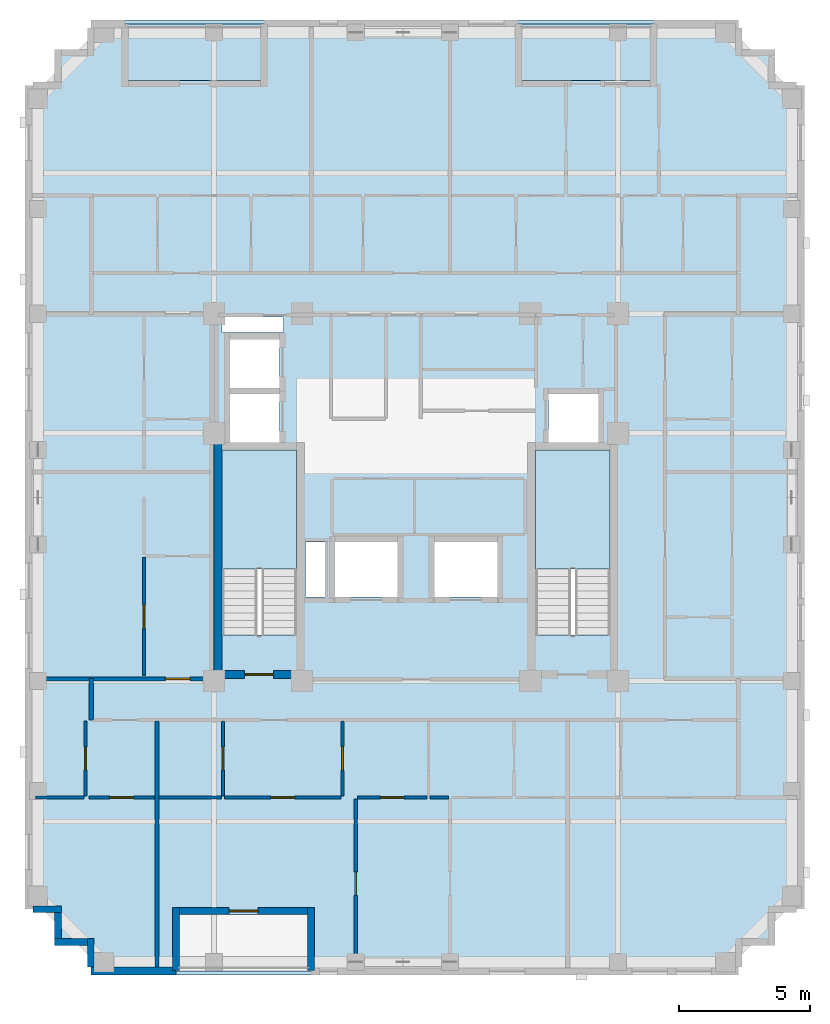
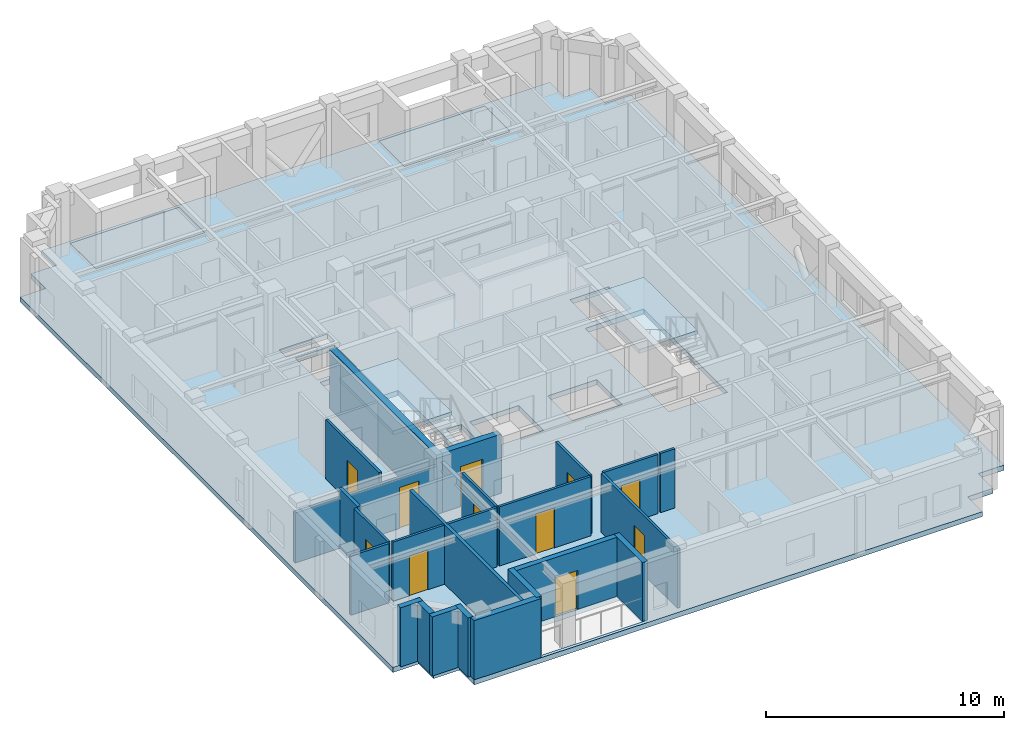
# One storey, part 2 of 11: 24 walls, 11 doors, 5 slabs, 11 openings, 2 elements without a shape of their own.
"""IFC4 building model written with IfcOpenShell, lengths in metres."""

from ifc_helpers import new_model, si_unit, derived_unit, direction, frame, frame_2d, origin, place, context, subcontext, project, spatial, polyline, rectangle, outline, extrude, material, layer, layer_set, type_object, element, fill, aggregate, save


model = new_model("IFC4")

# Units and contexts
model_context = context("Model", 3, precision=1e-05, world=origin(), true_north=direction((0.0, 1.0)))
body_context = subcontext(model_context, "Body", "Model", "MODEL_VIEW")
ifc_project = project(units=[si_unit("LENGTHUNIT", "METRE"), si_unit("AREAUNIT", "SQUARE_METRE"), si_unit("VOLUMEUNIT", "CUBIC_METRE"), si_unit("PLANEANGLEUNIT", "RADIAN"), si_unit("MASSUNIT", "GRAM", prefix="KILO"), derived_unit("THERMALTRANSMITTANCEUNIT", [(si_unit("MASSUNIT", "GRAM", prefix="KILO"), 1), (si_unit("TIMEUNIT", "SECOND"), -3), (si_unit("THERMODYNAMICTEMPERATUREUNIT", "KELVIN"), -1)])], contexts=[model_context])

# Site, building, storey
site_placement = place(None, origin())
site = spatial("IfcSite", under=ifc_project, at=site_placement, CompositionType="ELEMENT")
building_placement = place(site_placement, origin())
building = spatial("IfcBuilding", under=site, at=building_placement, Name="Korrvale Station Residences", CompositionType="ELEMENT")
storey_placement = place(building_placement, frame((0.0, 0.0, 190.89990234375)))
storey = spatial("IfcBuildingStorey", under=building, at=storey_placement, Name="L55", CompositionType="ELEMENT", Elevation=190.89990234375)

# Slabs
ifc_material_1 = material(Name="Concrete C50/60", Category="concrete")
ifc_layer_1 = layer(ifc_material_1, 0.219970703125, Name="Concrete C50/60")
ifc_layer_set_1 = layer_set([ifc_layer_1], Name="Concrete C50/60")
slab_type_1 = type_object("IfcSlabType", Name="SLB-BAL-220", PredefinedType="FLOOR", material=ifc_layer_set_1)
slab_1_placement = place(storey_placement, frame((0.0, 0.0, -0.219970703125)))
element("IfcSlab", 1, at=slab_1_placement, inside=storey, type_object=slab_type_1, Name="L55 Recessed Loggia Balcony Slab BAL-L55-N1", PredefinedType="FLOOR", context=body_context, shape_type="SweptSolid", body=[
    extrude(outline(polyline([(29.39990234375, 37.89990234375), (34.550048828125, 37.89990234375), (34.550048828125, 40.050048828125), (29.39990234375, 40.050048828125), (29.39990234375, 37.89990234375)])), origin(), (0.0, 0.0, 1.0), 0.219970703125),
])
slab_2_placement = place(storey_placement, frame((0.0, 0.0, -0.219970703125)))
element("IfcSlab", 2, at=slab_2_placement, inside=storey, type_object=slab_type_1, Name="L55 Recessed Loggia Balcony Slab BAL-L55-N2", PredefinedType="FLOOR", context=body_context, shape_type="SweptSolid", body=[
    extrude(outline(polyline([(14.39990234375, 37.89990234375), (19.699951171875, 37.89990234375), (19.699951171875, 40.050048828125), (14.39990234375, 40.050048828125), (14.39990234375, 37.89990234375)])), origin(), (0.0, 0.0, 1.0), 0.219970703125),
])
ifc_layer_2 = layer(ifc_material_1, 0.260009765625, Name="Concrete C50/60")
ifc_layer_set_2 = layer_set([ifc_layer_2], Name="Concrete C50/60")
slab_type_2 = type_object("IfcSlabType", Name="SLB-FLR-260", PredefinedType="FLOOR", material=ifc_layer_set_2)
slab_3_placement = place(storey_placement, frame((0.0, 0.0, -0.260009765625)))
element("IfcSlab", 3, at=slab_3_placement, inside=storey, type_object=slab_type_2, Name="L55 Suspended Structural Floor Slab", PredefinedType="FLOOR", context=body_context, shape_type="SweptSolid", body=[
    extrude(outline(polyline([(13.10009765625, 3.800048828125), (37.800048828125, 3.800048828125), (37.800048828125, 5.050048828125), (39.050048828125, 5.050048828125), (39.050048828125, 6.300048828125), (40.300048828125, 6.300048828125), (40.300048828125, 37.699951171875), (39.050048828125, 37.699951171875), (39.050048828125, 38.949951171875), (37.800048828125, 38.949951171875), (37.800048828125, 40.199951171875), (13.10009765625, 40.199951171875), (13.10009765625, 38.949951171875), (11.85009765625, 38.949951171875), (11.85009765625, 37.699951171875), (10.60009765625, 37.699951171875), (10.60009765625, 6.300048828125), (11.85009765625, 6.300048828125), (11.85009765625, 5.050048828125), (13.10009765625, 5.050048828125), (13.10009765625, 3.800048828125)]), holes=[polyline([(20.949951171875, 16.751953125), (20.949951171875, 23.800048828125), (18.10009765625, 23.800048828125), (18.10009765625, 16.751953125), (20.949951171875, 16.751953125)]), polyline([(32.89990234375, 16.751953125), (32.89990234375, 23.800048828125), (30.050048828125, 23.800048828125), (30.050048828125, 16.751953125), (32.89990234375, 16.751953125)]), polyline([(18.39990234375, 24.10009765625), (20.300048828125, 24.10009765625), (20.300048828125, 25.949951171875), (18.39990234375, 25.949951171875), (18.39990234375, 24.10009765625)]), polyline([(18.39990234375, 26.169921875), (20.300048828125, 26.169921875), (20.300048828125, 28.02001953125), (18.39990234375, 28.02001953125), (18.39990234375, 26.169921875)]), polyline([(30.550048828125, 24.10009765625), (32.449951171875, 24.10009765625), (32.449951171875, 25.949951171875), (30.550048828125, 25.949951171875), (30.550048828125, 24.10009765625)]), polyline([(22.39990234375, 18.199951171875), (24.800048828125, 18.199951171875), (24.800048828125, 20.300048828125), (22.39990234375, 20.300048828125), (22.39990234375, 18.199951171875)]), polyline([(26.199951171875, 18.199951171875), (28.60009765625, 18.199951171875), (28.60009765625, 20.300048828125), (26.199951171875, 20.300048828125), (26.199951171875, 18.199951171875)]), polyline([(18.10009765625, 28.280029296875), (20.449951171875, 28.280029296875), (20.449951171875, 28.8798828125), (18.10009765625, 28.8798828125), (18.10009765625, 28.280029296875)]), polyline([(21.280029296875, 18.199951171875), (22.02001953125, 18.199951171875), (22.02001953125, 20.300048828125), (21.280029296875, 20.300048828125), (21.280029296875, 18.199951171875)]), polyline([(16.35009765625, 3.949951171875), (21.5, 3.949951171875), (21.5, 6.10009765625), (16.35009765625, 6.10009765625), (16.35009765625, 3.949951171875)]), polyline([(29.39990234375, 37.89990234375), (34.550048828125, 37.89990234375), (34.550048828125, 40.050048828125), (29.39990234375, 40.050048828125), (29.39990234375, 37.89990234375)]), polyline([(14.39990234375, 37.89990234375), (19.699951171875, 37.89990234375), (19.699951171875, 40.050048828125), (14.39990234375, 40.050048828125), (14.39990234375, 37.89990234375)])]), origin(), (0.0, 0.0, 1.0), 0.260009765625),
])

# Stair, slab
stair_type = type_object("IfcStairType", Name="STR-DL-1350-20R-1650", PredefinedType="HALF_TURN_STAIR", material=ifc_material_1)
stair_1_placement = place(storey_placement, origin())
stair_1 = element("IfcStair", 4, at=stair_1_placement, inside=storey, type_object=stair_type, Name="L55 Exit Stair 1", PredefinedType="HALF_TURN_STAIR")
ifc_layer_3 = layer(ifc_material_1, 0.199951171875, Name="Concrete C50/60")
ifc_layer_set_3 = layer_set([ifc_layer_3], Name="Concrete C50/60")
slab_type_3 = type_object("IfcSlabType", Name="SLB-LND-200", PredefinedType="LANDING", material=ifc_layer_set_3)
slab_4_placement = place(storey_placement, frame((0.0, 0.0, 1.4501953125)))
slab_4 = element("IfcSlab", 5, at=slab_4_placement, type_object=slab_type_3, Name="ST-1 landing 1", PredefinedType="LANDING", context=body_context, shape_type="SweptSolid", body=[
    extrude(outline(polyline([(20.949951171875, 19.27001953125), (20.949951171875, 23.800048828125), (18.10009765625, 23.800048828125), (18.10009765625, 19.27001953125), (20.949951171875, 19.27001953125)])), origin(), (0.0, 0.0, 1.0), 0.199951171875),
])
aggregate(stair_1, [slab_4])

stair_2_placement = place(storey_placement, origin())
stair_2 = element("IfcStair", 6, at=stair_2_placement, inside=storey, type_object=stair_type, Name="L55 Exit Stair 2", PredefinedType="HALF_TURN_STAIR")
slab_5_placement = place(storey_placement, frame((0.0, 0.0, 1.4501953125)))
slab_5 = element("IfcSlab", 7, at=slab_5_placement, type_object=slab_type_3, Name="ST-2 landing 1", PredefinedType="LANDING", context=body_context, shape_type="SweptSolid", body=[
    extrude(outline(polyline([(32.89990234375, 19.27001953125), (32.89990234375, 23.800048828125), (30.050048828125, 23.800048828125), (30.050048828125, 19.27001953125), (32.89990234375, 19.27001953125)])), origin(), (0.0, 0.0, 1.0), 0.199951171875),
])
aggregate(stair_2, [slab_5])

# Wall
ifc_layer_4 = layer(ifc_material_1, 0.300048828125, Name="Concrete C50/60")
ifc_layer_set_4 = layer_set([ifc_layer_4], Name="Concrete C50/60")
wall_type_1 = type_object("IfcWallType", Name="WAL-CORE-300-C50", PredefinedType="SHEAR", material=ifc_layer_set_4)
wall_1_placement = place(storey_placement, frame((17.949951171875, 15.10009765625, 0.0), z_axis=(0.0, 0.0, 1.0), x_axis=(0.0, 1.0, 0.0)))
element("IfcWall", 8, at=wall_1_placement, inside=storey, type_object=wall_type_1, Name="L55 ST-1 Core Shear Wall West", PredefinedType="SHEAR", context=body_context, shape_type="SweptSolid", body=[
    extrude(rectangle(XDim=9.0, YDim=0.300048828125, at=frame_2d((4.5, 0.0))), origin(), (0.0, 0.0, 1.0), 3.0400390625),
])

# Wall, opening, door
wall_2_placement = place(storey_placement, frame((18.10009765625, 15.25, 0.0), z_axis=(0.0, 0.0, 1.0), x_axis=(1.0, 0.0, 0.0)))
wall_2 = element("IfcWall", 9, at=wall_2_placement, inside=storey, type_object=wall_type_1, Name="L55 ST-1 Core Shear Wall South", PredefinedType="SHEAR", context=body_context, shape_type="SweptSolid", body=[
    extrude(rectangle(XDim=2.849853515625, YDim=0.300048828125, at=frame_2d((1.4248046875, 0.0))), origin(), (0.0, 0.0, 1.0), 3.0400390625),
])
opening_1_placement = place(wall_2_placement, frame((0.860107421875, 0.0, 0.0)))
opening_1 = element("IfcOpeningElement", 10, at=opening_1_placement, cuts=wall_2, Name="Opening SD-1100", PredefinedType="OPENING", context=body_context, shape_type="SweptSolid", body=[
    extrude(rectangle(XDim=1.10009765625, YDim=2.050048828125, at=frame_2d((0.550048828125, 1.02490234375))), frame((0.0, 0.16015625, 0.0), z_axis=(0.0, -1.0, 0.0), x_axis=(1.0, 0.0, 0.0)), (0.0, 0.0, 1.0), 0.320068359375),
])
ifc_material_2 = material(Name="Hollow-metal fire-rated stair door with closer", Category="steel")
door_type_1 = type_object("IfcDoorType", Name="DR-STAIR-1100", OperationType="NOTDEFINED", PredefinedType="DOOR", material=ifc_material_2)
door_1_placement = place(opening_1_placement, origin())
door_1 = element("IfcDoor", 11, at=door_1_placement, inside=storey, type_object=door_type_1, Name="L55 ST-1 Exit Stair Door", OperationType="SINGLE_SWING_LEFT", OverallHeight=2.050048828125, OverallWidth=1.10009765625, PredefinedType="DOOR", context=body_context, shape_type="SweptSolid", body=[
    extrude(rectangle(XDim=1.10009765625, YDim=2.050048828125, at=frame_2d((0.550048828125, 1.02490234375))), frame((0.0, 0.02490234375, 0.0), z_axis=(0.0, -1.0, 0.0), x_axis=(1.0, 0.0, 0.0)), (0.0, 0.0, 1.0), 0.050048828125),
])
fill(opening_1, door_1)

# Wall
ifc_material_3 = material(Name="Precast concrete C45/55", Category="concrete")
ifc_layer_5 = layer(ifc_material_3, 0.260009765625, Name="Precast concrete C45/55")
ifc_layer_set_5 = layer_set([ifc_layer_5], Name="Precast concrete C45/55")
wall_type_2 = type_object("IfcWallType", Name="WAL-EXT-LOG260", PredefinedType="SOLIDWALL", material=ifc_layer_set_5)
wall_3_placement = place(storey_placement, frame((21.5, 3.9599609375, 0.0), z_axis=(0.0, 0.0, 1.0), x_axis=(0.0, 1.0, 0.0)))
element("IfcWall", 12, at=wall_3_placement, inside=storey, type_object=wall_type_2, Name="L55 Recessed Loggia Wall BAL-L55-S1-L", PredefinedType="SOLIDWALL", context=body_context, shape_type="SweptSolid", body=[
    extrude(rectangle(XDim=2.400146484375, YDim=0.260009765625, at=frame_2d((1.2001953125, 0.0))), origin(), (0.0, 0.0, 1.0), 3.0400390625),
])

# Wall, opening, door
wall_4_placement = place(storey_placement, frame((21.365966796875, 6.22998046875, 0.0), z_axis=(0.0, 0.0, 1.0), x_axis=(-1.0, 0.0, 0.0)))
wall_4 = element("IfcWall", 13, at=wall_4_placement, inside=storey, type_object=wall_type_2, Name="L55 Recessed Loggia Wall BAL-L55-S1-B", PredefinedType="SOLIDWALL", context=body_context, shape_type="SweptSolid", body=[
    extrude(rectangle(XDim=4.882080078125, YDim=0.260009765625, at=frame_2d((2.44091796875, 0.0))), origin(), (0.0, 0.0, 1.0), 3.0400390625),
])
opening_2_placement = place(wall_4_placement, frame((1.89111328125, 0.0, 0.0)))
opening_2 = element("IfcOpeningElement", 14, at=opening_2_placement, cuts=wall_4, Name="Opening BD-01", PredefinedType="OPENING", context=body_context, shape_type="SweptSolid", body=[
    extrude(rectangle(XDim=1.10009765625, YDim=2.0, at=frame_2d((0.550048828125, 1.0))), frame((0.0, 0.14013671875, 0.0), z_axis=(0.0, -1.0, 0.0), x_axis=(1.0, 0.0, 0.0)), (0.0, 0.0, 1.0), 0.280029296875),
])
ifc_material_4 = material(Name="Exterior thermally broken aluminium glazed balcony door", Category="aluminium")
door_type_2 = type_object("IfcDoorType", Name="DR-EXT-BAL", OperationType="NOTDEFINED", PredefinedType="DOOR", material=ifc_material_4)
door_2_placement = place(opening_2_placement, origin())
door_2 = element("IfcDoor", 15, at=door_2_placement, inside=storey, type_object=door_type_2, Name="L55 Loggia Balcony Door BAL-L55-S1", OperationType="SINGLE_SWING_RIGHT", OverallHeight=2.0, OverallWidth=1.10009765625, PredefinedType="DOOR", context=body_context, shape_type="SweptSolid", body=[
    extrude(rectangle(XDim=1.10009765625, YDim=2.0, at=frame_2d((0.550048828125, 1.0))), frame((0.0, 0.02490234375, 0.0), z_axis=(0.0, -1.0, 0.0), x_axis=(1.0, 0.0, 0.0)), (0.0, 0.0, 1.0), 0.050048828125),
])
fill(opening_2, door_2)

# Walls
wall_5_placement = place(storey_placement, frame((16.35009765625, 6.360107421875, 0.0), z_axis=(0.0, 0.0, 1.0), x_axis=(0.0, -1.0, 0.0)))
element("IfcWall", 16, at=wall_5_placement, inside=storey, type_object=wall_type_2, Name="L55 Recessed Loggia Wall BAL-L55-S1-R", PredefinedType="SOLIDWALL", context=body_context, shape_type="SweptSolid", body=[
    extrude(rectangle(XDim=2.400146484375, YDim=0.260009765625, at=frame_2d((1.2001953125, 0.0))), origin(), (0.0, 0.0, 1.0), 3.0400390625),
])
wall_6_placement = place(storey_placement, frame((13.10009765625, 4.10205078125, 0.0), z_axis=(0.0, 0.0, 1.0), x_axis=(0.0, 1.0, 0.0)))
element("IfcWall", 17, at=wall_6_placement, inside=storey, type_object=wall_type_2, Name="L55 Serrated Corner Precast Step SW-1", PredefinedType="SOLIDWALL", context=body_context, shape_type="SweptSolid", body=[
    extrude(rectangle(XDim=1.077880859375, YDim=0.260009765625, at=frame_2d((0.5390625, 0.0))), origin(), (0.0, 0.0, 1.0), 3.0400390625),
])
wall_7_placement = place(storey_placement, frame((12.968017578125, 5.050048828125, 0.0), z_axis=(0.0, 0.0, 1.0), x_axis=(-1.0, 0.0, 0.0)))
element("IfcWall", 18, at=wall_7_placement, inside=storey, type_object=wall_type_2, Name="L55 Serrated Corner Precast Step SW-2", PredefinedType="SOLIDWALL", context=body_context, shape_type="SweptSolid", body=[
    extrude(rectangle(XDim=1.248046875, YDim=0.260009765625, at=frame_2d((0.6240234375, 0.0))), origin(), (0.0, 0.0, 1.0), 3.0400390625),
])
wall_8_placement = place(storey_placement, frame((11.85009765625, 5.181884765625, 0.0), z_axis=(0.0, 0.0, 1.0), x_axis=(0.0, 1.0, 0.0)))
element("IfcWall", 19, at=wall_8_placement, inside=storey, type_object=wall_type_2, Name="L55 Serrated Corner Precast Step SW-3", PredefinedType="SOLIDWALL", context=body_context, shape_type="SweptSolid", body=[
    extrude(rectangle(XDim=0.986083984375, YDim=0.260009765625, at=frame_2d((0.4931640625, 0.0))), origin(), (0.0, 0.0, 1.0), 3.0400390625),
])
wall_9_placement = place(storey_placement, frame((11.97998046875, 6.300048828125, 0.0), z_axis=(0.0, 0.0, 1.0), x_axis=(-1.0, 0.0, 0.0)))
element("IfcWall", 20, at=wall_9_placement, inside=storey, type_object=wall_type_2, Name="L55 Serrated Corner Precast Step SW-4", PredefinedType="SOLIDWALL", context=body_context, shape_type="SweptSolid", body=[
    extrude(rectangle(XDim=1.077880859375, YDim=0.260009765625, at=frame_2d((0.5390625, 0.0))), origin(), (0.0, 0.0, 1.0), 3.0400390625),
])
ifc_layer_6 = layer(ifc_material_3, 0.300048828125, Name="Precast concrete C45/55")
ifc_layer_set_6 = layer_set([ifc_layer_6], Name="Precast concrete C45/55")
wall_type_3 = type_object("IfcWallType", Name="WAL-EXT-PC300", PredefinedType="SOLIDWALL", material=ifc_layer_set_6)
wall_10_placement = place(storey_placement, frame((16.35009765625, 3.949951171875, 0.0), z_axis=(0.0, 0.0, 1.0), x_axis=(-1.0, 0.0, 0.0)))
element("IfcWall", 21, at=wall_10_placement, inside=storey, type_object=wall_type_3, Name="L55 South Exterior Precast Wall 2", PredefinedType="SOLIDWALL", context=body_context, shape_type="SweptSolid", body=[
    extrude(rectangle(XDim=3.25, YDim=0.300048828125, at=frame_2d((1.625, 0.0))), origin(), (0.0, 0.0, 1.0), 3.0400390625),
])

# Wall, opening, door
ifc_material_5 = material(Name="Acoustic steel-stud gypsum board partition", Category="steel")
ifc_layer_7 = layer(ifc_material_5, 0.1201171875, Name="Acoustic steel-stud gypsum board partition")
ifc_layer_set_7 = layer_set([ifc_layer_7], Name="Acoustic steel-stud gypsum board partition")
wall_type_4 = type_object("IfcWallType", Name="WAL-PART-125", PredefinedType="PARTITIONING", material=ifc_layer_set_7)
wall_11_placement = place(storey_placement, frame((12.89990234375, 10.6201171875, 0.0), z_axis=(0.0, 0.0, 1.0), x_axis=(0.0, 1.0, 0.0)))
wall_11 = element("IfcWall", 22, at=wall_11_placement, inside=storey, type_object=wall_type_4, Name="L55 Suite Partition U01-V01", PredefinedType="PARTITIONING", context=body_context, shape_type="SweptSolid", body=[
    extrude(rectangle(XDim=2.849853515625, YDim=0.1201171875, at=frame_2d((1.4248046875, 0.0))), origin(), (0.0, 0.0, 1.0), 3.0400390625),
])
opening_3_placement = place(wall_11_placement, frame((0.9951171875, 0.0, 0.0)))
opening_3 = element("IfcOpeningElement", 23, at=opening_3_placement, cuts=wall_11, Name="Opening DB-860", PredefinedType="OPENING", context=body_context, shape_type="SweptSolid", body=[
    extrude(rectangle(XDim=0.860107421875, YDim=2.050048828125, at=frame_2d((0.43017578125, 1.02490234375))), frame((0.0, 0.070068359375, 0.0), z_axis=(0.0, -1.0, 0.0), x_axis=(1.0, 0.0, 0.0)), (0.0, 0.0, 1.0), 0.14013671875),
])
ifc_material_6 = material(Name="Moisture-resistant solid-core bathroom door", Category="timber")
door_type_3 = type_object("IfcDoorType", Name="DR-BATH-860", OperationType="NOTDEFINED", PredefinedType="DOOR", material=ifc_material_6)
door_3_placement = place(opening_3_placement, origin())
door_3 = element("IfcDoor", 24, at=door_3_placement, inside=storey, type_object=door_type_3, Name="L55 Studio Apartment L55-U01 Bathroom Door", OperationType="SINGLE_SWING_LEFT", OverallHeight=2.050048828125, OverallWidth=0.860107421875, PredefinedType="DOOR", context=body_context, shape_type="SweptSolid", body=[
    extrude(rectangle(XDim=0.860107421875, YDim=2.050048828125, at=frame_2d((0.43017578125, 1.02490234375))), frame((0.0, 0.02490234375, 0.0), z_axis=(0.0, -1.0, 0.0), x_axis=(1.0, 0.0, 0.0)), (0.0, 0.0, 1.0), 0.050048828125),
])
fill(opening_3, door_3)

# Wall
wall_12_placement = place(storey_placement, frame((10.989990234375, 10.56005859375, 0.0), z_axis=(0.0, 0.0, 1.0), x_axis=(1.0, 0.0, 0.0)))
element("IfcWall", 25, at=wall_12_placement, inside=storey, type_object=wall_type_4, Name="L55 Suite Partition U01-H02", PredefinedType="PARTITIONING", context=body_context, shape_type="SweptSolid", body=[
    extrude(rectangle(XDim=1.85009765625, YDim=0.1201171875, at=frame_2d((0.925048828125, 0.0))), origin(), (0.0, 0.0, 1.0), 3.0400390625),
])

# Wall, opening, door
wall_13_placement = place(storey_placement, frame((13.030029296875, 10.56005859375, 0.0), z_axis=(0.0, 0.0, 1.0), x_axis=(1.0, 0.0, 0.0)))
wall_13 = element("IfcWall", 26, at=wall_13_placement, inside=storey, type_object=wall_type_4, Name="L55 Suite Partition U01-H12", PredefinedType="PARTITIONING", context=body_context, shape_type="SweptSolid", body=[
    extrude(rectangle(XDim=2.489990234375, YDim=0.1201171875, at=frame_2d((1.2451171875, 0.0))), origin(), (0.0, 0.0, 1.0), 3.0400390625),
])
opening_4_placement = place(wall_13_placement, frame((0.794921875, 0.0, 0.0)))
opening_4 = element("IfcOpeningElement", 27, at=opening_4_placement, cuts=wall_13, Name="Opening DI-900", PredefinedType="OPENING", context=body_context, shape_type="SweptSolid", body=[
    extrude(rectangle(XDim=0.89990234375, YDim=2.050048828125, at=frame_2d((0.449951171875, 1.02490234375))), frame((0.0, 0.070068359375, 0.0), z_axis=(0.0, -1.0, 0.0), x_axis=(1.0, 0.0, 0.0)), (0.0, 0.0, 1.0), 0.14013671875),
])
ifc_material_7 = material(Name="Painted solid-core timber interior room door", Category="wood")
door_type_4 = type_object("IfcDoorType", Name="DR-INT-900", OperationType="NOTDEFINED", PredefinedType="DOOR", material=ifc_material_7)
door_4_placement = place(opening_4_placement, origin())
door_4 = element("IfcDoor", 28, at=door_4_placement, inside=storey, type_object=door_type_4, Name="L55 Studio Apartment L55-U01 Kitchen Door", OperationType="SINGLE_SWING_RIGHT", OverallHeight=2.050048828125, OverallWidth=0.89990234375, PredefinedType="DOOR", context=body_context, shape_type="SweptSolid", body=[
    extrude(rectangle(XDim=0.89990234375, YDim=2.050048828125, at=frame_2d((0.449951171875, 1.02490234375))), frame((0.0, 0.02490234375, 0.0), z_axis=(0.0, -1.0, 0.0), x_axis=(1.0, 0.0, 0.0)), (0.0, 0.0, 1.0), 0.050048828125),
])
fill(opening_4, door_4)

wall_14_placement = place(storey_placement, frame((18.139892578125, 10.6201171875, 0.0), z_axis=(0.0, 0.0, 1.0), x_axis=(0.0, 1.0, 0.0)))
wall_14 = element("IfcWall", 29, at=wall_14_placement, inside=storey, type_object=wall_type_4, Name="L55 Suite Partition U02-V01", PredefinedType="PARTITIONING", context=body_context, shape_type="SweptSolid", body=[
    extrude(rectangle(XDim=2.849853515625, YDim=0.1201171875, at=frame_2d((1.4248046875, 0.0))), origin(), (0.0, 0.0, 1.0), 3.0400390625),
])
opening_5_placement = place(wall_14_placement, frame((0.9951171875, 0.0, 0.0)))
opening_5 = element("IfcOpeningElement", 30, at=opening_5_placement, cuts=wall_14, Name="Opening DB-860", PredefinedType="OPENING", context=body_context, shape_type="SweptSolid", body=[
    extrude(rectangle(XDim=0.860107421875, YDim=2.050048828125, at=frame_2d((0.43017578125, 1.02490234375))), frame((0.0, 0.070068359375, 0.0), z_axis=(0.0, -1.0, 0.0), x_axis=(1.0, 0.0, 0.0)), (0.0, 0.0, 1.0), 0.14013671875),
])
door_5_placement = place(opening_5_placement, origin())
door_5 = element("IfcDoor", 31, at=door_5_placement, inside=storey, type_object=door_type_3, Name="L55 Apartment 1BR L55-U02 Bathroom Door", OperationType="SINGLE_SWING_LEFT", OverallHeight=2.050048828125, OverallWidth=0.860107421875, PredefinedType="DOOR", context=body_context, shape_type="SweptSolid", body=[
    extrude(rectangle(XDim=0.860107421875, YDim=2.050048828125, at=frame_2d((0.43017578125, 1.02490234375))), frame((0.0, 0.02490234375, 0.0), z_axis=(0.0, -1.0, 0.0), x_axis=(1.0, 0.0, 0.0)), (0.0, 0.0, 1.0), 0.050048828125),
])
fill(opening_5, door_5)

# Wall
wall_15_placement = place(storey_placement, frame((15.679931640625, 10.56005859375, 0.0), z_axis=(0.0, 0.0, 1.0), x_axis=(1.0, 0.0, 0.0)))
element("IfcWall", 32, at=wall_15_placement, inside=storey, type_object=wall_type_4, Name="L55 Suite Partition U02-H05", PredefinedType="PARTITIONING", context=body_context, shape_type="SweptSolid", body=[
    extrude(rectangle(XDim=2.400146484375, YDim=0.1201171875, at=frame_2d((1.2001953125, 0.0))), origin(), (0.0, 0.0, 1.0), 3.0400390625),
])

# Wall, opening, door
wall_16_placement = place(storey_placement, frame((22.699951171875, 10.6201171875, 0.0), z_axis=(0.0, 0.0, 1.0), x_axis=(0.0, 1.0, 0.0)))
wall_16 = element("IfcWall", 33, at=wall_16_placement, inside=storey, type_object=wall_type_4, Name="L55 Suite Partition U02-V12", PredefinedType="PARTITIONING", context=body_context, shape_type="SweptSolid", body=[
    extrude(rectangle(XDim=2.849853515625, YDim=0.1201171875, at=frame_2d((1.4248046875, 0.0))), origin(), (0.0, 0.0, 1.0), 3.0400390625),
])
opening_6_placement = place(wall_16_placement, frame((0.97509765625, 0.0, 0.0)))
opening_6 = element("IfcOpeningElement", 34, at=opening_6_placement, cuts=wall_16, Name="Opening DI-900", PredefinedType="OPENING", context=body_context, shape_type="SweptSolid", body=[
    extrude(rectangle(XDim=0.89990234375, YDim=2.050048828125, at=frame_2d((0.449951171875, 1.02490234375))), frame((0.0, 0.070068359375, 0.0), z_axis=(0.0, -1.0, 0.0), x_axis=(1.0, 0.0, 0.0)), (0.0, 0.0, 1.0), 0.14013671875),
])
door_6_placement = place(opening_6_placement, origin())
door_6 = element("IfcDoor", 35, at=door_6_placement, inside=storey, type_object=door_type_4, Name="L55 Apartment 1BR L55-U02 Kitchen Door", OperationType="SINGLE_SWING_RIGHT", OverallHeight=2.050048828125, OverallWidth=0.89990234375, PredefinedType="DOOR", context=body_context, shape_type="SweptSolid", body=[
    extrude(rectangle(XDim=0.89990234375, YDim=2.050048828125, at=frame_2d((0.449951171875, 1.02490234375))), frame((0.0, 0.02490234375, 0.0), z_axis=(0.0, -1.0, 0.0), x_axis=(1.0, 0.0, 0.0)), (0.0, 0.0, 1.0), 0.050048828125),
])
fill(opening_6, door_6)

wall_17_placement = place(storey_placement, frame((18.199951171875, 10.56005859375, 0.0), z_axis=(0.0, 0.0, 1.0), x_axis=(1.0, 0.0, 0.0)))
wall_17 = element("IfcWall", 36, at=wall_17_placement, inside=storey, type_object=wall_type_4, Name="L55 Suite Partition U02-H15", PredefinedType="PARTITIONING", context=body_context, shape_type="SweptSolid", body=[
    extrude(rectangle(XDim=4.43994140625, YDim=0.1201171875, at=frame_2d((2.219970703125, 0.0))), origin(), (0.0, 0.0, 1.0), 3.0400390625),
])
opening_7_placement = place(wall_17_placement, frame((1.77001953125, 0.0, 0.0)))
opening_7 = element("IfcOpeningElement", 37, at=opening_7_placement, cuts=wall_17, Name="Opening DI-900", PredefinedType="OPENING", context=body_context, shape_type="SweptSolid", body=[
    extrude(rectangle(XDim=0.89990234375, YDim=2.050048828125, at=frame_2d((0.449951171875, 1.02490234375))), frame((0.0, 0.070068359375, 0.0), z_axis=(0.0, -1.0, 0.0), x_axis=(1.0, 0.0, 0.0)), (0.0, 0.0, 1.0), 0.14013671875),
])
door_7_placement = place(opening_7_placement, origin())
door_7 = element("IfcDoor", 38, at=door_7_placement, inside=storey, type_object=door_type_4, Name="L55 Apartment 1BR L55-U02 Kitchen Door", OperationType="SINGLE_SWING_LEFT", OverallHeight=2.050048828125, OverallWidth=0.89990234375, PredefinedType="DOOR", context=body_context, shape_type="SweptSolid", body=[
    extrude(rectangle(XDim=0.89990234375, YDim=2.050048828125, at=frame_2d((0.449951171875, 1.02490234375))), frame((0.0, 0.02490234375, 0.0), z_axis=(0.0, -1.0, 0.0), x_axis=(1.0, 0.0, 0.0)), (0.0, 0.0, 1.0), 0.050048828125),
])
fill(opening_7, door_7)

wall_18_placement = place(storey_placement, frame((23.260009765625, 10.56005859375, 0.0), z_axis=(0.0, 0.0, 1.0), x_axis=(1.0, 0.0, 0.0)))
wall_18 = element("IfcWall", 39, at=wall_18_placement, inside=storey, type_object=wall_type_4, Name="L55 Suite Partition U02-H26", PredefinedType="PARTITIONING", context=body_context, shape_type="SweptSolid", body=[
    extrude(rectangle(XDim=2.64990234375, YDim=0.1201171875, at=frame_2d((1.324951171875, 0.0))), origin(), (0.0, 0.0, 1.0), 3.0400390625),
])
opening_8_placement = place(wall_18_placement, frame((0.875, 0.0, 0.0)))
opening_8 = element("IfcOpeningElement", 40, at=opening_8_placement, cuts=wall_18, Name="Opening DI-900", PredefinedType="OPENING", context=body_context, shape_type="SweptSolid", body=[
    extrude(rectangle(XDim=0.89990234375, YDim=2.050048828125, at=frame_2d((0.449951171875, 1.02490234375))), frame((0.0, 0.070068359375, 0.0), z_axis=(0.0, -1.0, 0.0), x_axis=(1.0, 0.0, 0.0)), (0.0, 0.0, 1.0), 0.14013671875),
])
door_8_placement = place(opening_8_placement, origin())
door_8 = element("IfcDoor", 41, at=door_8_placement, inside=storey, type_object=door_type_4, Name="L55 Apartment 1BR L55-U02 Home Study Room Door", OperationType="SINGLE_SWING_LEFT", OverallHeight=2.050048828125, OverallWidth=0.89990234375, PredefinedType="DOOR", context=body_context, shape_type="SweptSolid", body=[
    extrude(rectangle(XDim=0.89990234375, YDim=2.050048828125, at=frame_2d((0.449951171875, 1.02490234375))), frame((0.0, 0.02490234375, 0.0), z_axis=(0.0, -1.0, 0.0), x_axis=(1.0, 0.0, 0.0)), (0.0, 0.0, 1.0), 0.050048828125),
])
fill(opening_8, door_8)

# Wall
wall_19_placement = place(storey_placement, frame((26.030029296875, 10.56005859375, 0.0), z_axis=(0.0, 0.0, 1.0), x_axis=(1.0, 0.0, 0.0)))
element("IfcWall", 42, at=wall_19_placement, inside=storey, type_object=wall_type_4, Name="L55 Suite Partition U02-H36", PredefinedType="PARTITIONING", context=body_context, shape_type="SweptSolid", body=[
    extrude(rectangle(XDim=0.7099609375, YDim=0.1201171875, at=frame_2d((0.35498046875, 0.0))), origin(), (0.0, 0.0, 1.0), 3.0400390625),
])

# Wall, opening, door
wall_20_placement = place(storey_placement, frame((23.199951171875, 4.080078125, 0.0), z_axis=(0.0, 0.0, 1.0), x_axis=(0.0, 1.0, 0.0)))
wall_20 = element("IfcWall", 43, at=wall_20_placement, inside=storey, type_object=wall_type_4, Name="L55 Suite Partition U02-V56", PredefinedType="PARTITIONING", context=body_context, shape_type="SweptSolid", body=[
    extrude(rectangle(XDim=6.419921875, YDim=0.1201171875, at=frame_2d((3.2099609375, 0.0))), origin(), (0.0, 0.0, 1.0), 3.0400390625),
])
opening_9_placement = place(wall_20_placement, frame((2.7451171875, 0.0, 0.0)))
opening_9 = element("IfcOpeningElement", 44, at=opening_9_placement, cuts=wall_20, Name="Opening DI-900", PredefinedType="OPENING", context=body_context, shape_type="SweptSolid", body=[
    extrude(rectangle(XDim=0.89990234375, YDim=2.050048828125, at=frame_2d((0.449951171875, 1.02490234375))), frame((0.0, 0.070068359375, 0.0), z_axis=(0.0, -1.0, 0.0), x_axis=(1.0, 0.0, 0.0)), (0.0, 0.0, 1.0), 0.14013671875),
])
door_9_placement = place(opening_9_placement, origin())
door_9 = element("IfcDoor", 45, at=door_9_placement, inside=storey, type_object=door_type_4, Name="L55 Apartment 1BR L55-U02 Living and Dining Room Door", OperationType="SINGLE_SWING_LEFT", OverallHeight=2.050048828125, OverallWidth=0.89990234375, PredefinedType="DOOR", context=body_context, shape_type="SweptSolid", body=[
    extrude(rectangle(XDim=0.89990234375, YDim=2.050048828125, at=frame_2d((0.449951171875, 1.02490234375))), frame((0.0, 0.02490234375, 0.0), z_axis=(0.0, -1.0, 0.0), x_axis=(1.0, 0.0, 0.0)), (0.0, 0.0, 1.0), 0.050048828125),
])
fill(opening_9, door_9)

wall_21_placement = place(storey_placement, frame((15.1298828125, 15.2099609375, 0.0), z_axis=(0.0, 0.0, 1.0), x_axis=(0.0, 1.0, 0.0)))
wall_21 = element("IfcWall", 46, at=wall_21_placement, inside=storey, type_object=wall_type_4, Name="L55 Suite Partition U07-V12", PredefinedType="PARTITIONING", context=body_context, shape_type="SweptSolid", body=[
    extrude(rectangle(XDim=4.5, YDim=0.1201171875, at=frame_2d((2.25, 0.0))), origin(), (0.0, 0.0, 1.0), 3.0400390625),
])
opening_10_placement = place(wall_21_placement, frame((1.800048828125, 0.0, 0.0)))
opening_10 = element("IfcOpeningElement", 47, at=opening_10_placement, cuts=wall_21, Name="Opening DI-900", PredefinedType="OPENING", context=body_context, shape_type="SweptSolid", body=[
    extrude(rectangle(XDim=0.89990234375, YDim=2.050048828125, at=frame_2d((0.449951171875, 1.02490234375))), frame((0.0, 0.070068359375, 0.0), z_axis=(0.0, -1.0, 0.0), x_axis=(1.0, 0.0, 0.0)), (0.0, 0.0, 1.0), 0.14013671875),
])
door_10_placement = place(opening_10_placement, origin())
door_10 = element("IfcDoor", 48, at=door_10_placement, inside=storey, type_object=door_type_4, Name="L55 Studio Apartment L55-U07 Kitchen Door", OperationType="SINGLE_SWING_RIGHT", OverallHeight=2.050048828125, OverallWidth=0.89990234375, PredefinedType="DOOR", context=body_context, shape_type="SweptSolid", body=[
    extrude(rectangle(XDim=0.89990234375, YDim=2.050048828125, at=frame_2d((0.449951171875, 1.02490234375))), frame((0.0, 0.02490234375, 0.0), z_axis=(0.0, -1.0, 0.0), x_axis=(1.0, 0.0, 0.0)), (0.0, 0.0, 1.0), 0.050048828125),
])
fill(opening_10, door_10)

# Walls
ifc_material_8 = material(Name="Fire-rated twin-stud gypsum and mineral wool shaftwall assembly", Category="gypsum")
ifc_layer_8 = layer(ifc_material_8, 0.159912109375, Name="Fire-rated twin-stud gypsum and mineral wool shaftwall assembly")
ifc_layer_set_8 = layer_set([ifc_layer_8], Name="Fire-rated twin-stud gypsum and mineral wool shaftwall assembly")
wall_type_5 = type_object("IfcWallType", Name="WAL-PART-200", PredefinedType="PARTITIONING", material=ifc_layer_set_8)
wall_22_placement = place(storey_placement, frame((13.1201171875, 13.510009765625, 0.0), z_axis=(0.0, 0.0, 1.0), x_axis=(0.0, 1.0, 0.0)))
element("IfcWall", 49, at=wall_22_placement, inside=storey, type_object=wall_type_5, Name="L55 Corridor South West Cap", PredefinedType="PARTITIONING", context=body_context, shape_type="SweptSolid", body=[
    extrude(rectangle(XDim=1.580078125, YDim=0.159912109375, at=frame_2d((0.7900390625, 0.0))), origin(), (0.0, 0.0, 1.0), 3.0400390625),
])
wall_23_placement = place(storey_placement, frame((15.6201171875, 4.080078125, 0.0), z_axis=(0.0, 0.0, 1.0), x_axis=(0.0, 1.0, 0.0)))
element("IfcWall", 50, at=wall_23_placement, inside=storey, type_object=wall_type_5, Name="L55 Demising Wall U02-W", PredefinedType="PARTITIONING", context=body_context, shape_type="SweptSolid", body=[
    extrude(rectangle(XDim=9.389892578125, YDim=0.159912109375, at=frame_2d((4.69482421875, 0.0))), origin(), (0.0, 0.0, 1.0), 3.0400390625),
])

# Wall, opening, door
wall_24_placement = place(storey_placement, frame((10.8798828125, 15.080078125, 0.0), z_axis=(0.0, 0.0, 1.0), x_axis=(1.0, 0.0, 0.0)))
wall_24 = element("IfcWall", 51, at=wall_24_placement, inside=storey, type_object=wall_type_5, Name="L55 Side Suite South Entry Wall U07", PredefinedType="PARTITIONING", context=body_context, shape_type="SweptSolid", body=[
    extrude(rectangle(XDim=6.880126953125, YDim=0.159912109375, at=frame_2d((3.43994140625, 0.0))), origin(), (0.0, 0.0, 1.0), 2.55615234375),
])
opening_11_placement = place(wall_24_placement, frame((5.06005859375, 0.0, 0.0)))
opening_11 = element("IfcOpeningElement", 52, at=opening_11_placement, cuts=wall_24, Name="Opening UD-950", PredefinedType="OPENING", context=body_context, shape_type="SweptSolid", body=[
    extrude(rectangle(XDim=0.949951171875, YDim=2.10009765625, at=frame_2d((0.47509765625, 1.050048828125))), frame((0.0, 0.08984375, 0.0), z_axis=(0.0, -1.0, 0.0), x_axis=(1.0, 0.0, 0.0)), (0.0, 0.0, 1.0), 0.179931640625),
])
ifc_material_9 = material(Name="Solid-core acoustic oak apartment entrance door", Category="timber")
door_type_5 = type_object("IfcDoorType", Name="DR-UNIT-950", OperationType="NOTDEFINED", PredefinedType="DOOR", material=ifc_material_9)
door_11_placement = place(opening_11_placement, origin())
door_11 = element("IfcDoor", 53, at=door_11_placement, inside=storey, type_object=door_type_5, Name="L55 Apartment L55-U07 Entrance Door", OperationType="SINGLE_SWING_RIGHT", OverallHeight=2.10009765625, OverallWidth=0.949951171875, PredefinedType="DOOR", context=body_context, shape_type="SweptSolid", body=[
    extrude(rectangle(XDim=0.949951171875, YDim=2.10009765625, at=frame_2d((0.47509765625, 1.050048828125))), frame((0.0, 0.02490234375, 0.0), z_axis=(0.0, -1.0, 0.0), x_axis=(1.0, 0.0, 0.0)), (0.0, 0.0, 1.0), 0.050048828125),
])
fill(opening_11, door_11)

save(model, "model.ifc")
